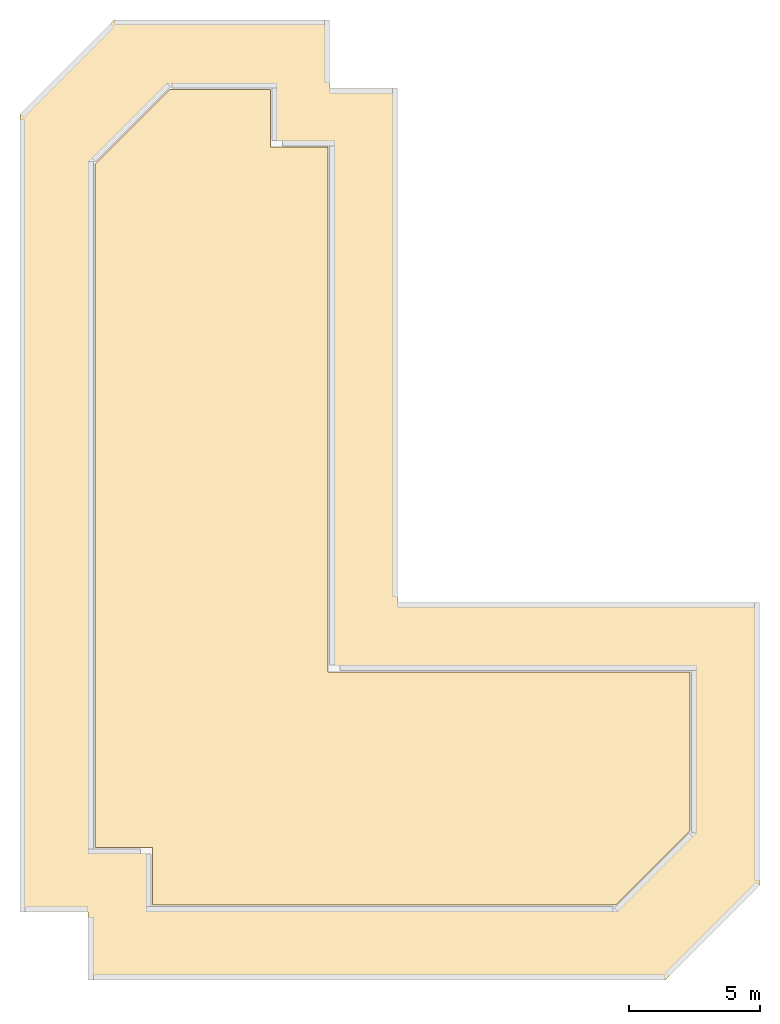
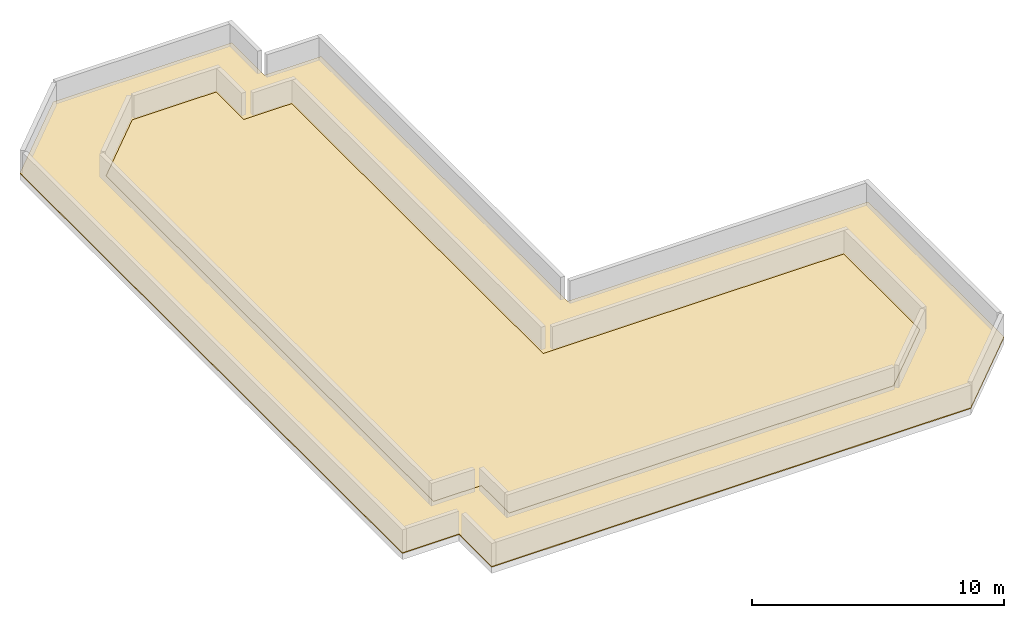
# One storey, part 2 of 2: 2 coverings.
"""IFC4 building model written with IfcOpenShell, lengths in metres."""

from ifc_helpers import new_model, si_unit, direction, frame, origin, place, context, subcontext, project, spatial, polyline, outline, extrude, material, layer, layer_set, type_object, element, save


model = new_model("IFC4")

# Units and contexts
model_context = context("Model", 3, precision=1e-05, world=origin(), true_north=direction((0.0, 1.0)))
body_context = subcontext(model_context, "Body", "Model", "MODEL_VIEW")
ifc_project = project(units=[si_unit("LENGTHUNIT", "METRE"), si_unit("AREAUNIT", "SQUARE_METRE"), si_unit("VOLUMEUNIT", "CUBIC_METRE"), si_unit("PLANEANGLEUNIT", "RADIAN"), si_unit("MASSUNIT", "GRAM", prefix="KILO")], contexts=[model_context])

# Site, building, storey
site_placement = place(None, origin())
site = spatial("IfcSite", under=ifc_project, at=site_placement, CompositionType="ELEMENT")
building_placement = place(site_placement, origin())
building = spatial("IfcBuilding", under=site, at=building_placement, Name="Nerrivon Quay Data Exchange", CompositionType="ELEMENT")
storey_placement = place(building_placement, frame((0.0, 0.0, 343.199951171875)))
storey = spatial("IfcBuildingStorey", under=building, at=storey_placement, Name="RF", CompositionType="ELEMENT", Elevation=343.199951171875)

# Coverings
ifc_material = material(Name="Bituminous waterproof roofing membrane", Category="concrete")
ifc_layer = layer(ifc_material, 0.06005859375)
ifc_layer_set = layer_set([ifc_layer], Name="Bituminous waterproof roofing membrane")
covering_type = type_object("IfcCoveringType", Name="COV-ROOF-MEM1", PredefinedType="ROOFING", material=ifc_layer_set)
covering_1_placement = place(storey_placement, origin())
element("IfcCovering", 1, at=covering_1_placement, inside=storey, type_object=covering_type, Name="RF Maintenance Roof Waterproof Membrane", PredefinedType="ROOFING", context=body_context, shape_type="SweptSolid", body=[
    extrude(outline(polyline([(30.949951171875, 17.14990234375), (30.949951171875, 11.103515625), (28.096435546875, 8.25), (10.449951171875, 8.25), (10.449951171875, 10.449951171875), (8.25, 10.449951171875), (8.25, 36.496337890625), (11.103515625, 39.35009765625), (14.949951171875, 39.35009765625), (14.949951171875, 37.14990234375), (17.14990234375, 37.14990234375), (17.14990234375, 17.14990234375), (30.949951171875, 17.14990234375)])), origin(), (0.0, 0.0, 1.0), 0.050048828125),
])
covering_2_placement = place(storey_placement, origin())
element("IfcCovering", 2, at=covering_2_placement, inside=storey, type_object=covering_type, Name="RF Stepped Crown Roof Membrane 1", PredefinedType="ROOFING", context=body_context, shape_type="SweptSolid", body=[
    extrude(outline(polyline([(33.60009765625, 19.800048828125), (19.800048828125, 19.800048828125), (19.800048828125, 39.39990234375), (17.199951171875, 39.39990234375), (17.199951171875, 42.0), (9.0, 42.0), (5.39990234375, 38.39990234375), (5.39990234375, 8.0), (8.0, 8.0), (8.0, 5.39990234375), (30.0, 5.39990234375), (33.60009765625, 9.0), (33.60009765625, 19.800048828125)])), origin(), (0.0, 0.0, 1.0), 0.050048828125),
])

save(model, "model.ifc")
